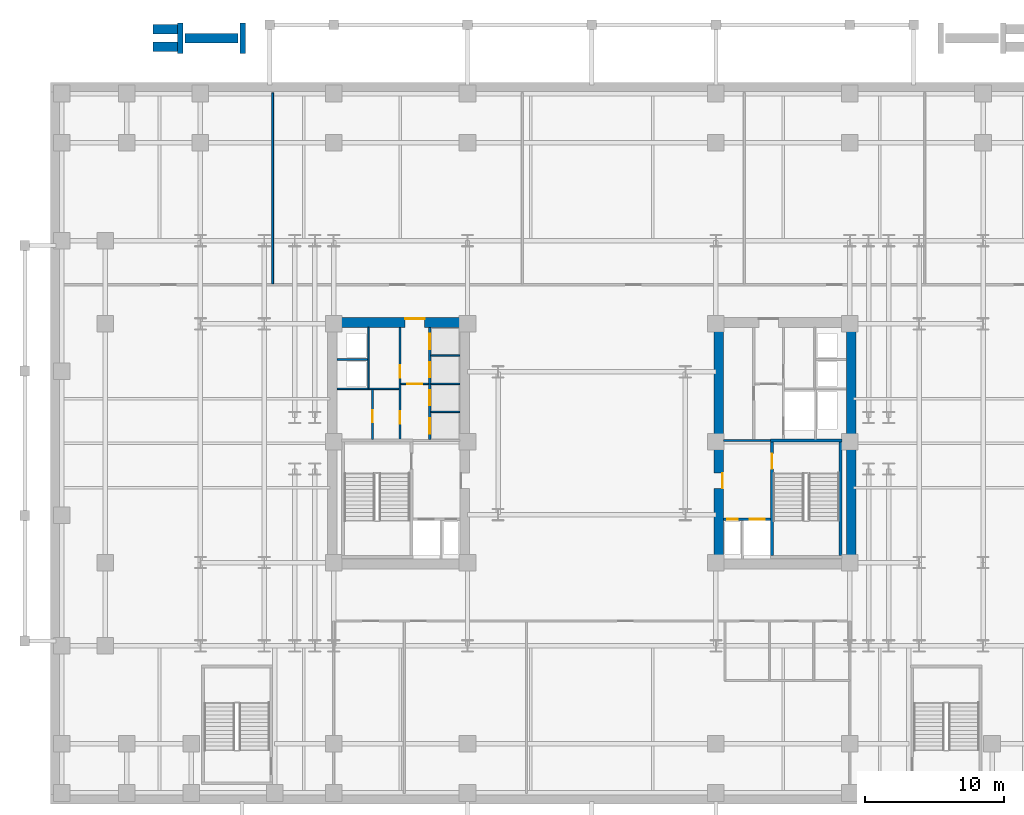
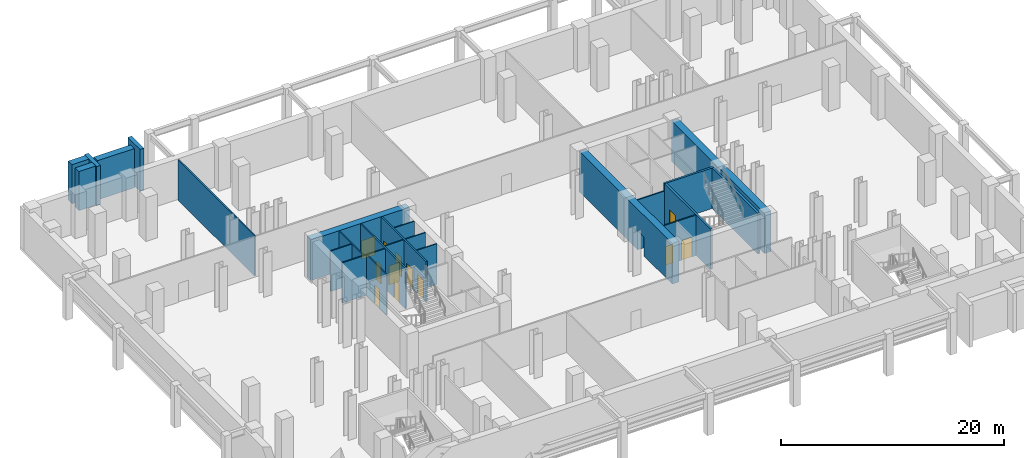
# One storey, part 8 of 13: 24 walls, 13 doors, 13 openings.
"""IFC4 building model written with IfcOpenShell, lengths in metres."""

from ifc_helpers import new_model, si_unit, direction, frame, frame_2d, origin, place, context, subcontext, project, spatial, rectangle, extrude, material, layer, layer_set, type_object, element, fill, save


model = new_model("IFC4")

# Units and contexts
model_context = context("Model", 3, precision=1e-05, world=origin(), true_north=direction((0.0, 1.0)))
body_context = subcontext(model_context, "Body", "Model", "MODEL_VIEW")
ifc_project = project(units=[si_unit("LENGTHUNIT", "METRE"), si_unit("AREAUNIT", "SQUARE_METRE"), si_unit("VOLUMEUNIT", "CUBIC_METRE"), si_unit("PLANEANGLEUNIT", "RADIAN"), si_unit("MASSUNIT", "GRAM", prefix="KILO")], contexts=[model_context])

# Site, building, storey
site_placement = place(None, origin())
site = spatial("IfcSite", under=ifc_project, at=site_placement, CompositionType="ELEMENT")
building_placement = place(site_placement, origin())
building = spatial("IfcBuilding", under=site, at=building_placement, Name="Velakula Bourse", CompositionType="ELEMENT")
storey_placement = place(building_placement, frame((0.0, 0.0, -4.800048828125)))
storey = spatial("IfcBuildingStorey", under=building, at=storey_placement, Name="B01", CompositionType="ELEMENT", Elevation=-4.800048828125)

# Wall, opening, door
ifc_material_1 = material(Name="Concrete M50 (fck 50 MPa)", Category="concrete")
ifc_layer_1 = layer(ifc_material_1, 0.2099609375, Name="Concrete M50 (fck 50 MPa)", Category="concrete")
ifc_layer_set_1 = layer_set([ifc_layer_1], Name="Concrete M50 (fck 50 MPa)")
wall_type_1 = type_object("IfcWallType", Name="WL-CORE-210", PredefinedType="SHEAR", material=ifc_layer_set_1)
wall_1_placement = place(storey_placement, frame((12.9951171875, -8.10009765625, 0.0), z_axis=(0.0, 0.0, 1.0), x_axis=(0.0, 1.0, 0.0)))
wall_1 = element("IfcWall", 1, at=wall_1_placement, inside=storey, type_object=wall_type_1, Name="B01 Core E Stairwell Shear Wall IN", PredefinedType="SHEAR", context=body_context, shape_type="SweptSolid", body=[
    extrude(rectangle(XDim=8.2001953125, YDim=0.2099609375, at=frame_2d((4.10009765625, 0.0))), origin(), (0.0, 0.0, 1.0), 4.449951171875),
])
opening_1_placement = place(wall_1_placement, frame((6.25, 0.0, 0.0)))
opening_1 = element("IfcOpeningElement", 2, at=opening_1_placement, cuts=wall_1, Name="Opening D-STE1", PredefinedType="OPENING", context=body_context, shape_type="SweptSolid", body=[
    extrude(rectangle(XDim=1.10009765625, YDim=2.14990234375, at=frame_2d((0.550048828125, 1.074951171875))), frame((0.0, 0.114990234375, 0.0), z_axis=(0.0, -1.0, 0.0), x_axis=(1.0, 0.0, 0.0)), (0.0, 0.0, 1.0), 0.22998046875),
])
ifc_material_2 = material(Name="Galvanised painted hollow steel fire door", Category="steel")
door_type_1 = type_object("IfcDoorType", Name="DR-FD120-1100x2150", OperationType="NOTDEFINED", PredefinedType="DOOR", material=ifc_material_2)
door_1_placement = place(opening_1_placement, origin())
door_1 = element("IfcDoor", 3, at=door_1_placement, inside=storey, type_object=door_type_1, Name="B01 Stair ST-E1 Fire Door", OperationType="SINGLE_SWING_RIGHT", OverallHeight=2.14990234375, OverallWidth=1.10009765625, PredefinedType="DOOR", context=body_context, shape_type="SweptSolid", body=[
    extrude(rectangle(XDim=1.10009765625, YDim=2.14990234375, at=frame_2d((0.550048828125, 1.074951171875))), frame((0.0, 0.02490234375, 0.0), z_axis=(0.0, -1.0, 0.0), x_axis=(1.0, 0.0, 0.0)), (0.0, 0.0, 1.0), 0.050048828125),
])
fill(opening_1, door_1)

# Walls
wall_2_placement = place(storey_placement, frame((17.925048828125, -8.10009765625, 0.0), z_axis=(0.0, 0.0, 1.0), x_axis=(0.0, 1.0, 0.0)))
element("IfcWall", 4, at=wall_2_placement, inside=storey, type_object=wall_type_1, Name="B01 Core E Stairwell Shear Wall OUT", PredefinedType="SHEAR", context=body_context, shape_type="SweptSolid", body=[
    extrude(rectangle(XDim=8.2001953125, YDim=0.2099609375, at=frame_2d((4.10009765625, 0.0))), origin(), (0.0, 0.0, 1.0), 4.449951171875),
])
wall_3_placement = place(storey_placement, frame((18.030029296875, 0.205078125, 0.0), z_axis=(0.0, 0.0, 1.0), x_axis=(-1.0, 0.0, 0.0)))
element("IfcWall", 5, at=wall_3_placement, inside=storey, type_object=wall_type_1, Name="B01 Core E Stairwell Shear Wall N", PredefinedType="SHEAR", context=body_context, shape_type="SweptSolid", body=[
    extrude(rectangle(XDim=5.14013671875, YDim=0.2099609375, at=frame_2d((2.570068359375, 0.0))), origin(), (0.0, 0.0, 1.0), 4.449951171875),
])

# Wall, opening, door
ifc_material_3 = material(Name="Concrete M70 (fck 70 MPa)", Category="concrete")
ifc_layer_2 = layer(ifc_material_3, 0.699951171875, Name="Concrete M70 (fck 70 MPa)", Category="concrete")
ifc_layer_set_2 = layer_set([ifc_layer_2], Name="Concrete M70 (fck 70 MPa)")
wall_type_2 = type_object("IfcWallType", Name="WL-CORE-700", PredefinedType="SHEAR", material=ifc_layer_set_2)
wall_4_placement = place(storey_placement, frame((-19.050048828125, 8.699951171875, 0.0), z_axis=(0.0, 0.0, 1.0), x_axis=(1.0, 0.0, 0.0)))
wall_4 = element("IfcWall", 6, at=wall_4_placement, inside=storey, type_object=wall_type_2, Name="B01 Core W Shear Wall N", PredefinedType="SHEAR", context=body_context, shape_type="SweptSolid", body=[
    extrude(rectangle(XDim=10.25, YDim=0.699951171875, at=frame_2d((5.125, 0.0))), origin(), (0.0, 0.0, 1.0), 4.449951171875),
])
opening_2_placement = place(wall_4_placement, frame((5.60009765625, 0.0, 0.0)))
opening_2 = element("IfcOpeningElement", 7, at=opening_2_placement, cuts=wall_4, Name="Opening D-LLW", PredefinedType="OPENING", context=body_context, shape_type="SweptSolid", body=[
    extrude(rectangle(XDim=1.39990234375, YDim=2.050048828125, at=frame_2d((0.699951171875, 1.02490234375))), frame((0.0, 0.35986328125, 0.0), z_axis=(0.0, -1.0, 0.0), x_axis=(1.0, 0.0, 0.0)), (0.0, 0.0, 1.0), 0.719970703125),
])
ifc_material_4 = material(Name="Fire-rated hardwood flush architectural door", Category="wood")
door_type_2 = type_object("IfcDoorType", Name="DR-DBL-FD60-1400", OperationType="DOUBLE_DOOR_SINGLE_SWING", PredefinedType="DOOR", material=ifc_material_4)
door_2_placement = place(opening_2_placement, origin())
door_2 = element("IfcDoor", 8, at=door_2_placement, inside=storey, type_object=door_type_2, Name="B01 Core W Lift Lobby Corridor Double Door", OperationType="DOUBLE_DOOR_SINGLE_SWING", OverallHeight=2.050048828125, OverallWidth=1.39990234375, PredefinedType="DOOR", context=body_context, shape_type="SweptSolid", body=[
    extrude(rectangle(XDim=1.39990234375, YDim=2.050048828125, at=frame_2d((0.699951171875, 1.02490234375))), frame((0.0, 0.294921875, 0.0), z_axis=(0.0, -1.0, 0.0), x_axis=(1.0, 0.0, 0.0)), (0.0, 0.0, 1.0), 0.050048828125),
])
fill(opening_2, door_2)

wall_5_placement = place(storey_placement, frame((9.14990234375, -8.35009765625, 0.0), z_axis=(0.0, 0.0, 1.0), x_axis=(0.0, 1.0, 0.0)))
wall_5 = element("IfcWall", 9, at=wall_5_placement, inside=storey, type_object=wall_type_2, Name="B01 Core E Shear Wall W", PredefinedType="SHEAR", context=body_context, shape_type="SweptSolid", body=[
    extrude(rectangle(XDim=16.7001953125, YDim=0.699951171875, at=frame_2d((8.35009765625, 0.0))), origin(), (0.0, 0.0, 1.0), 4.449951171875),
])
opening_3_placement = place(wall_5_placement, frame((5.10009765625, 0.0, 0.0)))
opening_3 = element("IfcOpeningElement", 10, at=opening_3_placement, cuts=wall_5, Name="Opening D-FLE", PredefinedType="OPENING", context=body_context, shape_type="SweptSolid", body=[
    extrude(rectangle(XDim=1.10009765625, YDim=2.080078125, at=frame_2d((0.550048828125, 1.0400390625))), frame((0.0, 0.35986328125, 0.0), z_axis=(0.0, -1.0, 0.0), x_axis=(1.0, 0.0, 0.0)), (0.0, 0.0, 1.0), 0.719970703125),
])
door_type_3 = type_object("IfcDoorType", Name="DR-FD120-1100", OperationType="NOTDEFINED", PredefinedType="DOOR", material=ifc_material_2)
door_3_placement = place(opening_3_placement, origin())
door_3 = element("IfcDoor", 11, at=door_3_placement, inside=storey, type_object=door_type_3, Name="B01 Firefighting Lobby E Corridor Fire Door", OperationType="SINGLE_SWING_RIGHT", OverallHeight=2.080078125, OverallWidth=1.10009765625, PredefinedType="DOOR", context=body_context, shape_type="SweptSolid", body=[
    extrude(rectangle(XDim=1.10009765625, YDim=2.080078125, at=frame_2d((0.550048828125, 1.0400390625))), frame((0.0, -0.2548828125, 0.0), z_axis=(0.0, -1.0, 0.0), x_axis=(1.0, 0.0, 0.0)), (0.0, 0.0, 1.0), 0.050048828125),
])
fill(opening_3, door_3)

# Wall
wall_6_placement = place(storey_placement, frame((18.699951171875, -8.35009765625, 0.0), z_axis=(0.0, 0.0, 1.0), x_axis=(0.0, 1.0, 0.0)))
element("IfcWall", 12, at=wall_6_placement, inside=storey, type_object=wall_type_2, Name="B01 Core E Shear Wall E", PredefinedType="SHEAR", context=body_context, shape_type="SweptSolid", body=[
    extrude(rectangle(XDim=16.7001953125, YDim=0.699951171875, at=frame_2d((8.35009765625, 0.0))), origin(), (0.0, 0.0, 1.0), 4.449951171875),
])

# Wall, opening, door
ifc_material_5 = material(Name="Fire-rated double-layer gypsum drywall partition", Category="gypsum")
ifc_layer_3 = layer(ifc_material_5, 0.1201171875, Name="Fire-rated double-layer gypsum drywall partition", Category="gypsum")
ifc_layer_set_3 = layer_set([ifc_layer_3], Name="Fire-rated double-layer gypsum drywall partition")
wall_type_3 = type_object("IfcWallType", Name="WL-PART-120", PredefinedType="STANDARD", material=ifc_layer_set_3)
wall_7_placement = place(storey_placement, frame((-13.75, 4.280029296875, 0.0), z_axis=(0.0, 0.0, 1.0), x_axis=(1.0, 0.0, 0.0)))
wall_7 = element("IfcWall", 13, at=wall_7_placement, inside=storey, type_object=wall_type_3, Name="B01 Interior Partition WL-CRW-B01-LL-K2", PredefinedType="STANDARD", context=body_context, shape_type="SweptSolid", body=[
    extrude(rectangle(XDim=2.0, YDim=0.1201171875, at=frame_2d((1.0, 0.0))), origin(), (0.0, 0.0, 1.0), 4.429931640625),
])
opening_4_placement = place(wall_7_placement, frame((0.449951171875, 0.0, 0.0)))
opening_4 = element("IfcOpeningElement", 14, at=opening_4_placement, cuts=wall_7, Name="Opening D-LK2", PredefinedType="OPENING", context=body_context, shape_type="SweptSolid", body=[
    extrude(rectangle(XDim=1.10009765625, YDim=2.10009765625, at=frame_2d((0.550048828125, 1.050048828125))), frame((0.0, 0.070068359375, 0.0), z_axis=(0.0, -1.0, 0.0), x_axis=(1.0, 0.0, 0.0)), (0.0, 0.0, 1.0), 0.14013671875),
])
door_type_4 = type_object("IfcDoorType", Name="DR-FD60-1100x2100", OperationType="NOTDEFINED", PredefinedType="DOOR", material=ifc_material_4)
door_4_placement = place(opening_4_placement, origin())
door_4 = element("IfcDoor", 15, at=door_4_placement, inside=storey, type_object=door_type_4, Name="B01 Core W Lift Lobby Zone Door", OperationType="SINGLE_SWING_RIGHT", OverallHeight=2.10009765625, OverallWidth=1.10009765625, PredefinedType="DOOR", context=body_context, shape_type="SweptSolid", body=[
    extrude(rectangle(XDim=1.10009765625, YDim=2.10009765625, at=frame_2d((0.550048828125, 1.050048828125))), frame((0.0, 0.02490234375, 0.0), z_axis=(0.0, -1.0, 0.0), x_axis=(1.0, 0.0, 0.0)), (0.0, 0.0, 1.0), 0.050048828125),
])
fill(opening_4, door_4)

# Walls
for number, where, z_axis, x_axis, name in (
    (16, (-11.60009765625, 2.2548828125, 0.0), (0.0, 0.0, 1.0), (1.0, 0.0, 0.0), "B01 Interior Partition WL-CRW-B01-BDIV-0"),
    (17, (-11.60009765625, 4.284912109375, 0.0), (0.0, 0.0, 1.0), (1.0, 0.0, 0.0), "B01 Interior Partition WL-CRW-B01-BDIV-1"),
    (18, (-11.60009765625, 6.31494140625, 0.0), (0.0, 0.0, 1.0), (1.0, 0.0, 0.0), "B01 Interior Partition WL-CRW-B01-BDIV-2"),
):
    element("IfcWall", number, at=place(storey_placement, frame(where, z_axis=z_axis, x_axis=x_axis)), inside=storey, type_object=wall_type_3, Name=name, PredefinedType="STANDARD", context=body_context, shape_type="SweptSolid", body=[
        extrude(rectangle(XDim=2.10009765625, YDim=0.110107421875, at=frame_2d((1.050048828125, 0.0))), origin(), (0.0, 0.0, 1.0), 4.429931640625),
    ])
wall_8_placement = place(storey_placement, frame((-18.35009765625, 3.919921875, 0.0), z_axis=(0.0, 0.0, 1.0), x_axis=(1.0, 0.0, 0.0)))
element("IfcWall", 19, at=wall_8_placement, inside=storey, type_object=wall_type_3, Name="B01 Interior Partition WL-CRW-B01-HI-S", PredefinedType="STANDARD", context=body_context, shape_type="SweptSolid", body=[
    extrude(rectangle(XDim=4.4501953125, YDim=0.1201171875, at=frame_2d((2.22509765625, 0.0))), origin(), (0.0, 0.0, 1.0), 4.429931640625),
])
wall_9_placement = place(storey_placement, frame((-18.35009765625, 6.030029296875, 0.0), z_axis=(0.0, 0.0, 1.0), x_axis=(1.0, 0.0, 0.0)))
element("IfcWall", 20, at=wall_9_placement, inside=storey, type_object=wall_type_3, Name="B01 Interior Partition WL-CRW-B01-RIS-MID", PredefinedType="STANDARD", context=body_context, shape_type="SweptSolid", body=[
    extrude(rectangle(XDim=2.2001953125, YDim=0.1201171875, at=frame_2d((1.10009765625, 0.0))), origin(), (0.0, 0.0, 1.0), 4.429931640625),
])
wall_10_placement = place(storey_placement, frame((-16.074951171875, 3.97998046875, 0.0), z_axis=(0.0, 0.0, 1.0), x_axis=(0.0, 1.0, 0.0)))
element("IfcWall", 21, at=wall_10_placement, inside=storey, type_object=wall_type_3, Name="B01 Interior Partition WL-CRW-B01-RIS-F", PredefinedType="STANDARD", context=body_context, shape_type="SweptSolid", body=[
    extrude(rectangle(XDim=4.3701171875, YDim=0.1201171875, at=frame_2d((2.18505859375, 0.0))), origin(), (0.0, 0.0, 1.0), 4.429931640625),
])

# Wall, opening, door
wall_11_placement = place(storey_placement, frame((-15.800048828125, 0.27001953125, 0.0), z_axis=(0.0, 0.0, 1.0), x_axis=(0.0, 1.0, 0.0)))
wall_11 = element("IfcWall", 22, at=wall_11_placement, inside=storey, type_object=wall_type_3, Name="B01 Interior Partition WL-CRW-B01-K2", PredefinedType="STANDARD", context=body_context, shape_type="SweptSolid", body=[
    extrude(rectangle(XDim=3.590087890625, YDim=0.1201171875, at=frame_2d((1.794921875, 0.0))), origin(), (0.0, 0.0, 1.0), 4.429931640625),
])
opening_5_placement = place(wall_11_placement, frame((1.25, 0.0, 0.0)))
opening_5 = element("IfcOpeningElement", 23, at=opening_5_placement, cuts=wall_11, Name="Opening D-CE1", PredefinedType="OPENING", context=body_context, shape_type="SweptSolid", body=[
    extrude(rectangle(XDim=0.85009765625, YDim=2.050048828125, at=frame_2d((0.425048828125, 1.02490234375))), frame((0.0, 0.070068359375, 0.0), z_axis=(0.0, -1.0, 0.0), x_axis=(1.0, 0.0, 0.0)), (0.0, 0.0, 1.0), 0.14013671875),
])
door_type_5 = type_object("IfcDoorType", Name="DR-INT-850", OperationType="NOTDEFINED", PredefinedType="DOOR", material=ifc_material_4)
door_5_placement = place(opening_5_placement, origin())
door_5 = element("IfcDoor", 24, at=door_5_placement, inside=storey, type_object=door_type_5, Name="B01 Core Equipment Store Door", OperationType="SINGLE_SWING_RIGHT", OverallHeight=2.050048828125, OverallWidth=0.85009765625, PredefinedType="DOOR", context=body_context, shape_type="SweptSolid", body=[
    extrude(rectangle(XDim=0.85009765625, YDim=2.050048828125, at=frame_2d((0.425048828125, 1.02490234375))), frame((0.0, 0.02490234375, 0.0), z_axis=(0.0, -1.0, 0.0), x_axis=(1.0, 0.0, 0.0)), (0.0, 0.0, 1.0), 0.050048828125),
])
fill(opening_5, door_5)

# Walls
ifc_layer_4 = layer(ifc_material_5, 0.139892578125, Name="Fire-rated double-layer gypsum drywall partition", Category="gypsum")
ifc_layer_set_4 = layer_set([ifc_layer_4], Name="Fire-rated double-layer gypsum drywall partition")
wall_type_4 = type_object("IfcWallType", Name="WL-PART-140", PredefinedType="STANDARD", material=ifc_layer_set_4)
wall_12_placement = place(storey_placement, frame((-23.0, 11.489990234375, 0.0), z_axis=(0.0, 0.0, 1.0), x_axis=(0.0, 1.0, 0.0)))
element("IfcWall", 25, at=wall_12_placement, inside=storey, type_object=wall_type_4, Name="B01 Interior Partition WL-POD-B01-ND1", PredefinedType="STANDARD", context=body_context, shape_type="SweptSolid", body=[
    extrude(rectangle(XDim=13.75, YDim=0.139892578125, at=frame_2d((6.875, 0.0))), origin(), (0.0, 0.0, 1.0), 4.429931640625),
])
ifc_layer_5 = layer(ifc_material_3, 0.679931640625, Name="Concrete M70 (fck 70 MPa)", Category="concrete")
ifc_layer_set_5 = layer_set([ifc_layer_5], Name="Concrete M70 (fck 70 MPa)")
wall_type_5 = type_object("IfcWallType", Name="WL-RET-680", PredefinedType="SOLIDWALL", material=ifc_layer_set_5)
wall_13_placement = place(storey_placement, frame((-29.639892578125, 28.10009765625, 0.0), z_axis=(0.0, 0.0, 1.0), x_axis=(0.0, 1.0, 0.0)))
element("IfcWall", 26, at=wall_13_placement, inside=storey, type_object=wall_type_5, Name="B01 Flood-Ramp BOT Bearing Wall NW", PredefinedType="SOLIDWALL", context=body_context, shape_type="SweptSolid", body=[
    extrude(rectangle(XDim=2.199951171875, YDim=0.39990234375, at=frame_2d((1.10009765625, 0.0))), origin(), (0.0, 0.0, 1.0), 4.304931640625),
])
wall_14_placement = place(storey_placement, frame((-25.139892578125, 28.10009765625, 0.0), z_axis=(0.0, 0.0, 1.0), x_axis=(0.0, 1.0, 0.0)))
element("IfcWall", 27, at=wall_14_placement, inside=storey, type_object=wall_type_5, Name="B01 Flood-Ramp TOP Bearing Wall NW", PredefinedType="SOLIDWALL", context=body_context, shape_type="SweptSolid", body=[
    extrude(rectangle(XDim=2.199951171875, YDim=0.39990234375, at=frame_2d((1.10009765625, 0.0))), origin(), (0.0, 0.0, 1.0), 4.60498046875),
])
wall_15_placement = place(storey_placement, frame((-29.320068359375, 29.199951171875, 0.0), z_axis=(0.0, 0.0, 1.0), x_axis=(1.0, 0.0, 0.0)))
element("IfcWall", 28, at=wall_15_placement, inside=storey, type_object=wall_type_5, Name="B01 Flood-Ramp Central Retaining Spine Wall NW", PredefinedType="SOLIDWALL", context=body_context, shape_type="SweptSolid", body=[
    extrude(rectangle(XDim=3.840087890625, YDim=0.679931640625, at=frame_2d((1.919921875, 0.0))), origin(), (0.0, 0.0, 1.0), 4.300048828125),
])
for number, where, z_axis, x_axis, name in (
    (29, (-31.60009765625, 28.580078125, 0.0), (0.0, 0.0, 1.0), (1.0, 0.0, 0.0), "B01 Flood-Ramp Landing Wall NW-1"),
    (30, (-31.60009765625, 29.820068359375, 0.0), (0.0, 0.0, 1.0), (1.0, 0.0, 0.0), "B01 Flood-Ramp Landing Wall NW-2"),
):
    element("IfcWall", number, at=place(storey_placement, frame(where, z_axis=z_axis, x_axis=x_axis)), inside=storey, type_object=wall_type_5, Name=name, PredefinedType="SOLIDWALL", context=body_context, shape_type="SweptSolid", body=[
        extrude(rectangle(XDim=1.739990234375, YDim=0.679931640625, at=frame_2d((0.8701171875, 0.0))), origin(), (0.0, 0.0, 1.0), 4.2900390625),
    ])

# Wall, openings, doors
ifc_material_6 = material(Name="Autoclaved aerated concrete blockwork masonry", Category="masonry")
ifc_layer_6 = layer(ifc_material_6, 0.14990234375, Name="Autoclaved aerated concrete blockwork masonry", Category="masonry")
ifc_layer_set_6 = layer_set([ifc_layer_6], Name="Autoclaved aerated concrete blockwork masonry")
wall_type_6 = type_object("IfcWallType", Name="WL-SHAFT-150", PredefinedType="STANDARD", material=ifc_layer_set_6)
wall_16_placement = place(storey_placement, frame((-11.675048828125, 0.27001953125, 0.0), z_axis=(0.0, 0.0, 1.0), x_axis=(0.0, 1.0, 0.0)))
wall_16 = element("IfcWall", 31, at=wall_16_placement, inside=storey, type_object=wall_type_6, Name="B01 Interior Partition WL-CRW-B01-BANK-F", PredefinedType="STANDARD", context=body_context, shape_type="SweptSolid", body=[
    extrude(rectangle(XDim=8.080078125, YDim=0.14990234375, at=frame_2d((4.0400390625, 0.0))), origin(), (0.0, 0.0, 1.0), 4.429931640625),
])
opening_6_placement = place(wall_16_placement, frame((0.419921875, 0.0, 0.0)))
opening_6 = element("IfcOpeningElement", 32, at=opening_6_placement, cuts=wall_16, Name="Opening LD-P1", PredefinedType="OPENING", context=body_context, shape_type="SweptSolid", body=[
    extrude(rectangle(XDim=1.10009765625, YDim=2.10009765625, at=frame_2d((0.550048828125, 1.050048828125))), frame((0.0, 0.0849609375, 0.0), z_axis=(0.0, -1.0, 0.0), x_axis=(1.0, 0.0, 0.0)), (0.0, 0.0, 1.0), 0.169921875),
])
opening_7_placement = place(wall_16_placement, frame((2.449951171875, 0.0, 0.0)))
opening_7 = element("IfcOpeningElement", 33, at=opening_7_placement, cuts=wall_16, Name="Opening LD-P2", PredefinedType="OPENING", context=body_context, shape_type="SweptSolid", body=[
    extrude(rectangle(XDim=1.10009765625, YDim=2.10009765625, at=frame_2d((0.550048828125, 1.050048828125))), frame((0.0, 0.0849609375, 0.0), z_axis=(0.0, -1.0, 0.0), x_axis=(1.0, 0.0, 0.0)), (0.0, 0.0, 1.0), 0.169921875),
])
opening_8_placement = place(wall_16_placement, frame((4.47998046875, 0.0, 0.0)))
opening_8 = element("IfcOpeningElement", 34, at=opening_8_placement, cuts=wall_16, Name="Opening LD-P3", PredefinedType="OPENING", context=body_context, shape_type="SweptSolid", body=[
    extrude(rectangle(XDim=1.10009765625, YDim=2.10009765625, at=frame_2d((0.550048828125, 1.050048828125))), frame((0.0, 0.0849609375, 0.0), z_axis=(0.0, -1.0, 0.0), x_axis=(1.0, 0.0, 0.0)), (0.0, 0.0, 1.0), 0.169921875),
])
opening_9_placement = place(wall_16_placement, frame((6.510009765625, 0.0, 0.0)))
opening_9 = element("IfcOpeningElement", 35, at=opening_9_placement, cuts=wall_16, Name="Opening LD-P4", PredefinedType="OPENING", context=body_context, shape_type="SweptSolid", body=[
    extrude(rectangle(XDim=1.10009765625, YDim=2.10009765625, at=frame_2d((0.550048828125, 1.050048828125))), frame((0.0, 0.0849609375, 0.0), z_axis=(0.0, -1.0, 0.0), x_axis=(1.0, 0.0, 0.0)), (0.0, 0.0, 1.0), 0.169921875),
])
ifc_material_7 = material(Name="Brushed grade 316 stainless steel", Category="steel")
door_type_6 = type_object("IfcDoorType", Name="DR-SLIDE-LD-1100", OperationType="DOUBLE_DOOR_SLIDING", PredefinedType="DOOR", material=ifc_material_7)
door_6_placement = place(opening_6_placement, origin())
door_6 = element("IfcDoor", 36, at=door_6_placement, inside=storey, type_object=door_type_6, Name="B01 Passenger Lift P1 Sliding Landing Door", OperationType="DOUBLE_DOOR_SLIDING", OverallHeight=2.10009765625, OverallWidth=1.10009765625, PredefinedType="DOOR", context=body_context, shape_type="SweptSolid", body=[
    extrude(rectangle(XDim=1.10009765625, YDim=2.10009765625, at=frame_2d((0.550048828125, 1.050048828125))), frame((0.0, 0.02490234375, 0.0), z_axis=(0.0, -1.0, 0.0), x_axis=(1.0, 0.0, 0.0)), (0.0, 0.0, 1.0), 0.050048828125),
])
fill(opening_6, door_6)
door_7_placement = place(opening_7_placement, origin())
door_7 = element("IfcDoor", 37, at=door_7_placement, inside=storey, type_object=door_type_6, Name="B01 Passenger Lift P2 Sliding Landing Door", OperationType="DOUBLE_DOOR_SLIDING", OverallHeight=2.10009765625, OverallWidth=1.10009765625, PredefinedType="DOOR", context=body_context, shape_type="SweptSolid", body=[
    extrude(rectangle(XDim=1.10009765625, YDim=2.10009765625, at=frame_2d((0.550048828125, 1.050048828125))), frame((0.0, 0.02490234375, 0.0), z_axis=(0.0, -1.0, 0.0), x_axis=(1.0, 0.0, 0.0)), (0.0, 0.0, 1.0), 0.050048828125),
])
fill(opening_7, door_7)
door_8_placement = place(opening_8_placement, origin())
door_8 = element("IfcDoor", 38, at=door_8_placement, inside=storey, type_object=door_type_6, Name="B01 Passenger Lift P3 Sliding Landing Door", OperationType="DOUBLE_DOOR_SLIDING", OverallHeight=2.10009765625, OverallWidth=1.10009765625, PredefinedType="DOOR", context=body_context, shape_type="SweptSolid", body=[
    extrude(rectangle(XDim=1.10009765625, YDim=2.10009765625, at=frame_2d((0.550048828125, 1.050048828125))), frame((0.0, 0.02490234375, 0.0), z_axis=(0.0, -1.0, 0.0), x_axis=(1.0, 0.0, 0.0)), (0.0, 0.0, 1.0), 0.050048828125),
])
fill(opening_8, door_8)
door_9_placement = place(opening_9_placement, origin())
door_9 = element("IfcDoor", 39, at=door_9_placement, inside=storey, type_object=door_type_6, Name="B01 Passenger Lift P4 Sliding Landing Door", OperationType="DOUBLE_DOOR_SLIDING", OverallHeight=2.10009765625, OverallWidth=1.10009765625, PredefinedType="DOOR", context=body_context, shape_type="SweptSolid", body=[
    extrude(rectangle(XDim=1.10009765625, YDim=2.10009765625, at=frame_2d((0.550048828125, 1.050048828125))), frame((0.0, 0.02490234375, 0.0), z_axis=(0.0, -1.0, 0.0), x_axis=(1.0, 0.0, 0.0)), (0.0, 0.0, 1.0), 0.050048828125),
])
fill(opening_9, door_9)

wall_17_placement = place(storey_placement, frame((-13.824951171875, 0.27001953125, 0.0), z_axis=(0.0, 0.0, 1.0), x_axis=(0.0, 1.0, 0.0)))
wall_17 = element("IfcWall", 40, at=wall_17_placement, inside=storey, type_object=wall_type_6, Name="B01 Interior Partition WL-CRW-B01-OUT-F", PredefinedType="STANDARD", context=body_context, shape_type="SweptSolid", body=[
    extrude(rectangle(XDim=8.080078125, YDim=0.14990234375, at=frame_2d((4.0400390625, 0.0))), origin(), (0.0, 0.0, 1.0), 4.429931640625),
])
opening_10_placement = place(wall_17_placement, frame((4.449951171875, 0.0, 0.0)))
opening_10 = element("IfcOpeningElement", 41, at=opening_10_placement, cuts=wall_17, Name="Opening D-CR2", PredefinedType="OPENING", context=body_context, shape_type="SweptSolid", body=[
    extrude(rectangle(XDim=0.89990234375, YDim=2.050048828125, at=frame_2d((0.449951171875, 1.02490234375))), frame((0.0, 0.0849609375, 0.0), z_axis=(0.0, -1.0, 0.0), x_axis=(1.0, 0.0, 0.0)), (0.0, 0.0, 1.0), 0.169921875),
])
opening_11_placement = place(wall_17_placement, frame((1.14990234375, 0.0, 0.0)))
opening_11 = element("IfcOpeningElement", 42, at=opening_11_placement, cuts=wall_17, Name="Opening D-CP1", PredefinedType="OPENING", context=body_context, shape_type="SweptSolid", body=[
    extrude(rectangle(XDim=0.89990234375, YDim=2.050048828125, at=frame_2d((0.449951171875, 1.02490234375))), frame((0.0, 0.0849609375, 0.0), z_axis=(0.0, -1.0, 0.0), x_axis=(1.0, 0.0, 0.0)), (0.0, 0.0, 1.0), 0.169921875),
])
door_type_7 = type_object("IfcDoorType", Name="DR-FD60-900", OperationType="NOTDEFINED", PredefinedType="DOOR", material=ifc_material_4)
door_10_placement = place(opening_10_placement, origin())
door_10 = element("IfcDoor", 43, at=door_10_placement, inside=storey, type_object=door_type_7, Name="B01 High-Rise Buffer Room Door", OperationType="SINGLE_SWING_LEFT", OverallHeight=2.050048828125, OverallWidth=0.89990234375, PredefinedType="DOOR", context=body_context, shape_type="SweptSolid", body=[
    extrude(rectangle(XDim=0.89990234375, YDim=2.050048828125, at=frame_2d((0.449951171875, 1.02490234375))), frame((0.0, 0.02490234375, 0.0), z_axis=(0.0, -1.0, 0.0), x_axis=(1.0, 0.0, 0.0)), (0.0, 0.0, 1.0), 0.050048828125),
])
fill(opening_10, door_10)
door_type_8 = type_object("IfcDoorType", Name="DR-INT-900", OperationType="NOTDEFINED", PredefinedType="DOOR", material=ifc_material_4)
door_11_placement = place(opening_11_placement, origin())
door_11 = element("IfcDoor", 44, at=door_11_placement, inside=storey, type_object=door_type_8, Name="B01 Core Tea Pantry Door", OperationType="SINGLE_SWING_RIGHT", OverallHeight=2.050048828125, OverallWidth=0.89990234375, PredefinedType="DOOR", context=body_context, shape_type="SweptSolid", body=[
    extrude(rectangle(XDim=0.89990234375, YDim=2.050048828125, at=frame_2d((0.449951171875, 1.02490234375))), frame((0.0, 0.02490234375, 0.0), z_axis=(0.0, -1.0, 0.0), x_axis=(1.0, 0.0, 0.0)), (0.0, 0.0, 1.0), 0.050048828125),
])
fill(opening_11, door_11)

wall_18_placement = place(storey_placement, frame((9.5, -5.47509765625, 0.0), z_axis=(0.0, 0.0, 1.0), x_axis=(1.0, 0.0, 0.0)))
wall_18 = element("IfcWall", 45, at=wall_18_placement, inside=storey, type_object=wall_type_6, Name="B01 Interior Partition WL-CRE-B01-FFL-N", PredefinedType="STANDARD", context=body_context, shape_type="SweptSolid", body=[
    extrude(rectangle(XDim=3.39501953125, YDim=0.14990234375, at=frame_2d((1.697509765625, 0.0))), origin(), (0.0, 0.0, 1.0), 4.429931640625),
])
opening_12_placement = place(wall_18_placement, frame((1.875, 0.0, 0.0)))
opening_12 = element("IfcOpeningElement", 46, at=opening_12_placement, cuts=wall_18, Name="Opening LD-FFL-2", PredefinedType="OPENING", context=body_context, shape_type="SweptSolid", body=[
    extrude(rectangle(XDim=1.10009765625, YDim=2.14990234375, at=frame_2d((0.550048828125, 1.074951171875))), frame((0.0, 0.0849609375, 0.0), z_axis=(0.0, -1.0, 0.0), x_axis=(1.0, 0.0, 0.0)), (0.0, 0.0, 1.0), 0.169921875),
])
opening_13_placement = place(wall_18_placement, frame((0.27490234375, 0.0, 0.0)))
opening_13 = element("IfcOpeningElement", 47, at=opening_13_placement, cuts=wall_18, Name="Opening D-RS1", PredefinedType="OPENING", context=body_context, shape_type="SweptSolid", body=[
    extrude(rectangle(XDim=0.75, YDim=2.050048828125, at=frame_2d((0.375, 1.02490234375))), frame((0.0, 0.0849609375, 0.0), z_axis=(0.0, -1.0, 0.0), x_axis=(1.0, 0.0, 0.0)), (0.0, 0.0, 1.0), 0.169921875),
])
door_type_9 = type_object("IfcDoorType", Name="DR-RISER-800", OperationType="NOTDEFINED", PredefinedType="DOOR", material=ifc_material_2)
door_12_placement = place(opening_13_placement, origin())
door_12 = element("IfcDoor", 48, at=door_12_placement, inside=storey, type_object=door_type_9, Name="B01 Fire Riser Access Door", OperationType="SINGLE_SWING_LEFT", OverallHeight=2.050048828125, OverallWidth=0.75, PredefinedType="DOOR", context=body_context, shape_type="SweptSolid", body=[
    extrude(rectangle(XDim=0.75, YDim=2.050048828125, at=frame_2d((0.375, 1.02490234375))), frame((0.0, 0.02490234375, 0.0), z_axis=(0.0, -1.0, 0.0), x_axis=(1.0, 0.0, 0.0)), (0.0, 0.0, 1.0), 0.050048828125),
])
fill(opening_13, door_12)
door_type_10 = type_object("IfcDoorType", Name="DR-SLIDE-FFL-1100", OperationType="DOUBLE_DOOR_SLIDING", PredefinedType="DOOR", material=ifc_material_7)
door_13_placement = place(opening_12_placement, origin())
door_13 = element("IfcDoor", 49, at=door_13_placement, inside=storey, type_object=door_type_10, Name="B01 Firefighting Lift FFL-2 Sliding Landing Door", OperationType="DOUBLE_DOOR_SLIDING", OverallHeight=2.14990234375, OverallWidth=1.10009765625, PredefinedType="DOOR", context=body_context, shape_type="SweptSolid", body=[
    extrude(rectangle(XDim=1.10009765625, YDim=2.14990234375, at=frame_2d((0.550048828125, 1.074951171875))), frame((0.0, 0.02490234375, 0.0), z_axis=(0.0, -1.0, 0.0), x_axis=(1.0, 0.0, 0.0)), (0.0, 0.0, 1.0), 0.050048828125),
])
fill(opening_12, door_13)

# Wall
wall_19_placement = place(storey_placement, frame((9.5, 0.18994140625, 0.0), z_axis=(0.0, 0.0, 1.0), x_axis=(1.0, 0.0, 0.0)))
element("IfcWall", 50, at=wall_19_placement, inside=storey, type_object=wall_type_6, Name="B01 Interior Partition WL-CRE-B01-FF-TOP", PredefinedType="STANDARD", context=body_context, shape_type="SweptSolid", body=[
    extrude(rectangle(XDim=3.389892578125, YDim=0.14990234375, at=frame_2d((1.69482421875, 0.0))), origin(), (0.0, 0.0, 1.0), 3.625),
])

save(model, "model.ifc")
